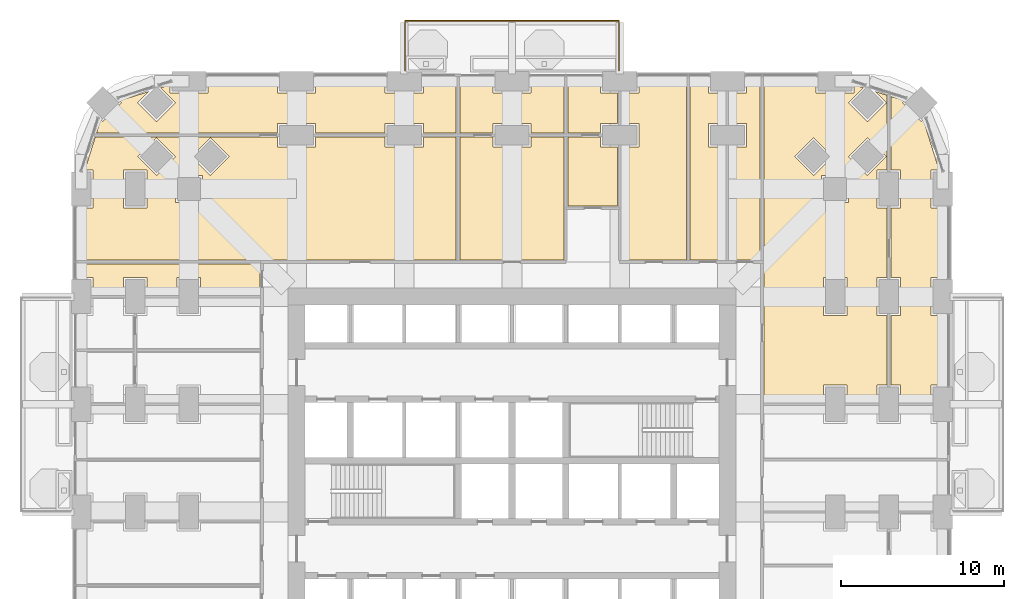
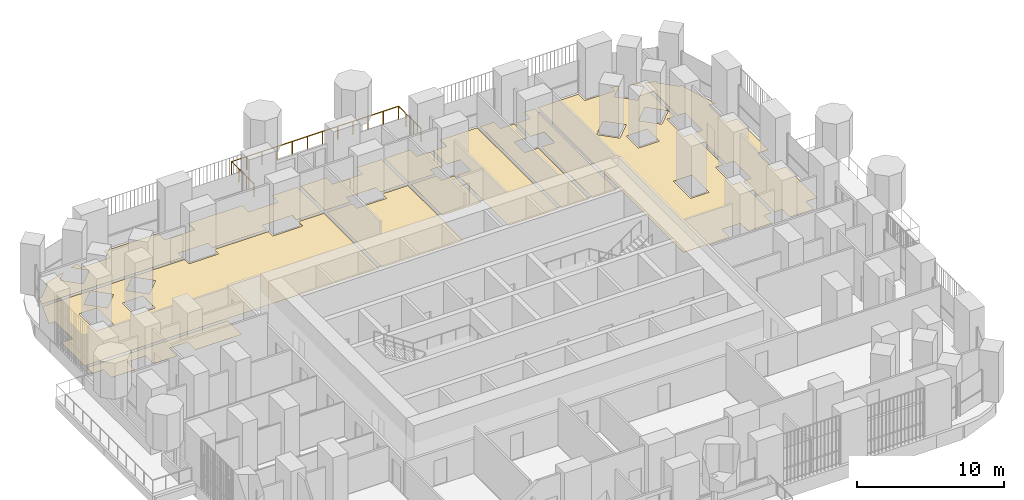
# One storey, part 25 of 26: 12 coverings, 1 railing.
"""IFC4 building model written with IfcOpenShell, lengths in metres."""

from ifc_helpers import new_model, si_unit, direction, frame, origin, place, context, subcontext, project, spatial, polyline, outline, extrude, material, layer, layer_set, type_object, element, save


model = new_model("IFC4")

# Units and contexts
model_context = context("Model", 3, precision=1e-05, world=origin(), true_north=direction((0.0, 1.0)))
body_context = subcontext(model_context, "Body", "Model", "MODEL_VIEW")
ifc_project = project(units=[si_unit("LENGTHUNIT", "METRE"), si_unit("AREAUNIT", "SQUARE_METRE"), si_unit("VOLUMEUNIT", "CUBIC_METRE"), si_unit("PLANEANGLEUNIT", "RADIAN"), si_unit("MASSUNIT", "GRAM", prefix="KILO")], contexts=[model_context])

# Site, building, storey
site_placement = place(None, origin())
site = spatial("IfcSite", under=ifc_project, at=site_placement, CompositionType="ELEMENT")
building_placement = place(site_placement, origin())
building = spatial("IfcBuilding", under=site, at=building_placement, Name="Cobogo Forest Laboratory Tower", CompositionType="ELEMENT")
storey_placement = place(building_placement, frame((0.0, 0.0, 33.89990234375)))
storey = spatial("IfcBuildingStorey", under=building, at=storey_placement, Name="L07", CompositionType="ELEMENT", Elevation=33.89990234375)

# Railing
ifc_material_1 = material(Name="Laminated glass balustrade", Category="glass")
railing_type = type_object("IfcRailingType", Name="BG1 glass balustrade 1100", PredefinedType="GUARDRAIL", material=ifc_material_1)
railing_placement = place(storey_placement, frame((19.85009765625, 46.85009765625, 0.0)))
element("IfcRailing", 1, at=railing_placement, inside=storey, type_object=railing_type, Name="Balcony balustrade BAL-N1 L07", PredefinedType="GUARDRAIL", context=body_context, shape_type="SweptSolid", body=[
    extrude(outline(polyline([(0.022216796875, 0.00927734375), (0.00927734375, 0.022216796875), (-0.00927734375, 0.022216796875), (-0.022216796875, 0.00927734375), (-0.022216796875, -0.00927734375), (-0.00927734375, -0.022216796875), (0.00927734375, -0.022216796875), (0.022216796875, -0.00927734375), (0.022216796875, 0.00927734375)])), frame((0.0, 0.0, 1.077880859375), z_axis=(0.0, 1.0, 0.0), x_axis=(-1.0, 0.0, 0.0)), (0.0, 0.0, 1.0), 3.0498046875),
    extrude(outline(polyline([(0.022216796875, 0.00927734375), (0.00927734375, 0.022216796875), (-0.00927734375, 0.022216796875), (-0.022216796875, 0.00927734375), (-0.022216796875, -0.00927734375), (-0.00927734375, -0.022216796875), (0.00927734375, -0.022216796875), (0.022216796875, -0.00927734375), (0.022216796875, 0.00927734375)])), frame((0.0, 3.0498046875, 1.077880859375), z_axis=(1.0, 0.0, 0.0), x_axis=(0.0, 1.0, 0.0)), (0.0, 0.0, 1.0), 13.099853515625),
    extrude(outline(polyline([(0.022216796875, 0.00927734375), (0.00927734375, 0.022216796875), (-0.00927734375, 0.022216796875), (-0.022216796875, 0.00927734375), (-0.022216796875, -0.00927734375), (-0.00927734375, -0.022216796875), (0.00927734375, -0.022216796875), (0.022216796875, -0.00927734375), (0.022216796875, 0.00927734375)])), frame((13.099853515625, 3.0498046875, 1.077880859375), z_axis=(0.0, -1.0, 0.0), x_axis=(1.0, 0.0, 0.0)), (0.0, 0.0, 1.0), 3.0498046875),
    extrude(outline(polyline([(0.019287109375, 0.008056640625), (0.008056640625, 0.019287109375), (-0.008056640625, 0.019287109375), (-0.019287109375, 0.008056640625), (-0.019287109375, -0.008056640625), (-0.008056640625, -0.019287109375), (0.008056640625, -0.019287109375), (0.019287109375, -0.008056640625), (0.019287109375, 0.008056640625)])), origin(), (0.0, 0.0, 1.0), 1.077880859375),
    extrude(outline(polyline([(0.019287109375, 0.008056640625), (0.008056640625, 0.019287109375), (-0.008056640625, 0.019287109375), (-0.019287109375, 0.008056640625), (-0.019287109375, -0.008056640625), (-0.008056640625, -0.019287109375), (0.008056640625, -0.019287109375), (0.019287109375, -0.008056640625), (0.019287109375, 0.008056640625)])), frame((0.0, 1.0166015625, 0.0)), (0.0, 0.0, 1.0), 1.077880859375),
    extrude(outline(polyline([(0.019287109375, 0.008056640625), (0.008056640625, 0.019287109375), (-0.008056640625, 0.019287109375), (-0.019287109375, 0.008056640625), (-0.019287109375, -0.008056640625), (-0.008056640625, -0.019287109375), (0.008056640625, -0.019287109375), (0.019287109375, -0.008056640625), (0.019287109375, 0.008056640625)])), frame((0.0, 2.033203125, 0.0)), (0.0, 0.0, 1.0), 1.077880859375),
    extrude(outline(polyline([(0.019287109375, 0.008056640625), (0.008056640625, 0.019287109375), (-0.008056640625, 0.019287109375), (-0.019287109375, 0.008056640625), (-0.019287109375, -0.008056640625), (-0.008056640625, -0.019287109375), (0.008056640625, -0.019287109375), (0.019287109375, -0.008056640625), (0.019287109375, 0.008056640625)])), frame((0.0, 3.0498046875, 0.0)), (0.0, 0.0, 1.0), 1.077880859375),
    extrude(outline(polyline([(0.019287109375, 0.008056640625), (0.008056640625, 0.019287109375), (-0.008056640625, 0.019287109375), (-0.019287109375, 0.008056640625), (-0.019287109375, -0.008056640625), (-0.008056640625, -0.019287109375), (0.008056640625, -0.019287109375), (0.019287109375, -0.008056640625), (0.019287109375, 0.008056640625)])), frame((1.19091796875, 3.0498046875, 0.0)), (0.0, 0.0, 1.0), 1.077880859375),
    extrude(outline(polyline([(0.019287109375, 0.008056640625), (0.008056640625, 0.019287109375), (-0.008056640625, 0.019287109375), (-0.019287109375, 0.008056640625), (-0.019287109375, -0.008056640625), (-0.008056640625, -0.019287109375), (0.008056640625, -0.019287109375), (0.019287109375, -0.008056640625), (0.019287109375, 0.008056640625)])), frame((2.3818359375, 3.0498046875, 0.0)), (0.0, 0.0, 1.0), 1.077880859375),
    extrude(outline(polyline([(0.019287109375, 0.008056640625), (0.008056640625, 0.019287109375), (-0.008056640625, 0.019287109375), (-0.019287109375, 0.008056640625), (-0.019287109375, -0.008056640625), (-0.008056640625, -0.019287109375), (0.008056640625, -0.019287109375), (0.019287109375, -0.008056640625), (0.019287109375, 0.008056640625)])), frame((3.57275390625, 3.0498046875, 0.0)), (0.0, 0.0, 1.0), 1.077880859375),
    extrude(outline(polyline([(0.019287109375, 0.008056640625), (0.008056640625, 0.019287109375), (-0.008056640625, 0.019287109375), (-0.019287109375, 0.008056640625), (-0.019287109375, -0.008056640625), (-0.008056640625, -0.019287109375), (0.008056640625, -0.019287109375), (0.019287109375, -0.008056640625), (0.019287109375, 0.008056640625)])), frame((4.763671875, 3.0498046875, 0.0)), (0.0, 0.0, 1.0), 1.077880859375),
    extrude(outline(polyline([(0.019287109375, 0.008056640625), (0.008056640625, 0.019287109375), (-0.008056640625, 0.019287109375), (-0.019287109375, 0.008056640625), (-0.019287109375, -0.008056640625), (-0.008056640625, -0.019287109375), (0.008056640625, -0.019287109375), (0.019287109375, -0.008056640625), (0.019287109375, 0.008056640625)])), frame((5.95458984375, 3.0498046875, 0.0)), (0.0, 0.0, 1.0), 1.077880859375),
    extrude(outline(polyline([(0.019287109375, 0.008056640625), (0.008056640625, 0.019287109375), (-0.008056640625, 0.019287109375), (-0.019287109375, 0.008056640625), (-0.019287109375, -0.008056640625), (-0.008056640625, -0.019287109375), (0.008056640625, -0.019287109375), (0.019287109375, -0.008056640625), (0.019287109375, 0.008056640625)])), frame((7.145263671875, 3.0498046875, 0.0)), (0.0, 0.0, 1.0), 1.077880859375),
    extrude(outline(polyline([(0.019287109375, 0.008056640625), (0.008056640625, 0.019287109375), (-0.008056640625, 0.019287109375), (-0.019287109375, 0.008056640625), (-0.019287109375, -0.008056640625), (-0.008056640625, -0.019287109375), (0.008056640625, -0.019287109375), (0.019287109375, -0.008056640625), (0.019287109375, 0.008056640625)])), frame((8.336181640625, 3.0498046875, 0.0)), (0.0, 0.0, 1.0), 1.077880859375),
    extrude(outline(polyline([(0.019287109375, 0.008056640625), (0.008056640625, 0.019287109375), (-0.008056640625, 0.019287109375), (-0.019287109375, 0.008056640625), (-0.019287109375, -0.008056640625), (-0.008056640625, -0.019287109375), (0.008056640625, -0.019287109375), (0.019287109375, -0.008056640625), (0.019287109375, 0.008056640625)])), frame((9.527099609375, 3.0498046875, 0.0)), (0.0, 0.0, 1.0), 1.077880859375),
    extrude(outline(polyline([(0.019287109375, 0.008056640625), (0.008056640625, 0.019287109375), (-0.008056640625, 0.019287109375), (-0.019287109375, 0.008056640625), (-0.019287109375, -0.008056640625), (-0.008056640625, -0.019287109375), (0.008056640625, -0.019287109375), (0.019287109375, -0.008056640625), (0.019287109375, 0.008056640625)])), frame((10.718017578125, 3.0498046875, 0.0)), (0.0, 0.0, 1.0), 1.077880859375),
    extrude(outline(polyline([(0.019287109375, 0.008056640625), (0.008056640625, 0.019287109375), (-0.008056640625, 0.019287109375), (-0.019287109375, 0.008056640625), (-0.019287109375, -0.008056640625), (-0.008056640625, -0.019287109375), (0.008056640625, -0.019287109375), (0.019287109375, -0.008056640625), (0.019287109375, 0.008056640625)])), frame((11.908935546875, 3.0498046875, 0.0)), (0.0, 0.0, 1.0), 1.077880859375),
    extrude(outline(polyline([(0.019287109375, 0.008056640625), (0.008056640625, 0.019287109375), (-0.008056640625, 0.019287109375), (-0.019287109375, 0.008056640625), (-0.019287109375, -0.008056640625), (-0.008056640625, -0.019287109375), (0.008056640625, -0.019287109375), (0.019287109375, -0.008056640625), (0.019287109375, 0.008056640625)])), frame((13.099853515625, 3.0498046875, 0.0)), (0.0, 0.0, 1.0), 1.077880859375),
    extrude(outline(polyline([(0.019287109375, 0.008056640625), (0.008056640625, 0.019287109375), (-0.008056640625, 0.019287109375), (-0.019287109375, 0.008056640625), (-0.019287109375, -0.008056640625), (-0.008056640625, -0.019287109375), (0.008056640625, -0.019287109375), (0.019287109375, -0.008056640625), (0.019287109375, 0.008056640625)])), frame((13.099853515625, 2.033203125, 0.0)), (0.0, 0.0, 1.0), 1.077880859375),
    extrude(outline(polyline([(0.019287109375, 0.008056640625), (0.008056640625, 0.019287109375), (-0.008056640625, 0.019287109375), (-0.019287109375, 0.008056640625), (-0.019287109375, -0.008056640625), (-0.008056640625, -0.019287109375), (0.008056640625, -0.019287109375), (0.019287109375, -0.008056640625), (0.019287109375, 0.008056640625)])), frame((13.099853515625, 1.0166015625, 0.0)), (0.0, 0.0, 1.0), 1.077880859375),
    extrude(outline(polyline([(0.019287109375, 0.008056640625), (0.008056640625, 0.019287109375), (-0.008056640625, 0.019287109375), (-0.019287109375, 0.008056640625), (-0.019287109375, -0.008056640625), (-0.008056640625, -0.019287109375), (0.008056640625, -0.019287109375), (0.019287109375, -0.008056640625), (0.019287109375, 0.008056640625)])), frame((13.099853515625, 0.0, 0.0)), (0.0, 0.0, 1.0), 1.077880859375),
])

# Coverings
ifc_material_2 = material(Name="Carpet tile on raised access floor", Category="flooring")
ifc_layer_1 = layer(ifc_material_2, 0.008056640625)
ifc_layer_set_1 = layer_set([ifc_layer_1], Name="CT1 carpet tile floor 8")
covering_type_1 = type_object("IfcCoveringType", Name="CT1 carpet tile floor 8", PredefinedType="FLOORING", material=ifc_layer_set_1)
covering_1_placement = place(storey_placement, origin())
element("IfcCovering", 2, at=covering_1_placement, inside=storey, type_object=covering_type_1, Name="Carpet floor L07-18", PredefinedType="FLOORING", context=body_context, shape_type="SweptSolid", body=[
    extrude(outline(polyline([(49.6201171875, 31.830078125), (50.219970703125, 31.830078125), (50.219970703125, 34.169921875), (49.6201171875, 34.169921875), (49.6201171875, 38.429931640625), (50.219970703125, 38.429931640625), (50.219970703125, 40.77001953125), (49.6201171875, 40.77001953125), (49.6201171875, 45.26025390625), (50.441162109375, 45.0009765625), (50.322265625, 44.882080078125), (51.48193359375, 43.722412109375), (51.600830078125, 43.84130859375), (52.57080078125, 40.77001953125), (52.080078125, 40.77001953125), (52.080078125, 38.429931640625), (52.949951171875, 38.429931640625), (52.949951171875, 34.169921875), (52.080078125, 34.169921875), (52.080078125, 31.830078125), (52.949951171875, 31.830078125), (52.949951171875, 27.570068359375), (52.080078125, 27.570068359375), (52.080078125, 26.52001953125), (50.219970703125, 26.52001953125), (50.219970703125, 27.570068359375), (49.6201171875, 27.570068359375), (49.6201171875, 31.830078125)])), origin(), (0.0, 0.0, 1.0), 0.008056640625),
])
covering_2_placement = place(storey_placement, origin())
element("IfcCovering", 3, at=covering_2_placement, inside=storey, type_object=covering_type_1, Name="Carpet floor L07-20", PredefinedType="FLOORING", context=body_context, shape_type="SweptSolid", body=[
    extrude(outline(polyline([(20.969970703125, 43.02001953125), (20.969970703125, 43.6201171875), (18.6298828125, 43.6201171875), (18.6298828125, 43.02001953125), (14.3701171875, 43.02001953125), (14.3701171875, 43.6201171875), (12.030029296875, 43.6201171875), (12.030029296875, 43.02001953125), (0.939697265625, 43.02001953125), (1.19921875, 43.84130859375), (1.318115234375, 43.722412109375), (2.477783203125, 44.882080078125), (2.358642578125, 45.0009765625), (4.1396484375, 45.563232421875), (3.458251953125, 44.882080078125), (4.617919921875, 43.722412109375), (5.777587890625, 44.882080078125), (4.86669921875, 45.79296875), (5.429931640625, 45.970703125), (5.429931640625, 45.47998046875), (7.77001953125, 45.47998046875), (7.77001953125, 46.35009765625), (12.030029296875, 46.35009765625), (12.030029296875, 45.47998046875), (14.3701171875, 45.47998046875), (14.3701171875, 46.35009765625), (18.6298828125, 46.35009765625), (18.6298828125, 45.47998046875), (20.969970703125, 45.47998046875), (20.969970703125, 46.35009765625), (22.97998046875, 46.35009765625), (22.97998046875, 43.02001953125), (20.969970703125, 43.02001953125)])), origin(), (0.0, 0.0, 1.0), 0.008056640625),
])
covering_3_placement = place(storey_placement, origin())
element("IfcCovering", 4, at=covering_3_placement, inside=storey, type_object=covering_type_1, Name="Carpet floor L07-22", PredefinedType="FLOORING", context=body_context, shape_type="SweptSolid", body=[
    extrude(outline(polyline([(27.570068359375, 43.02001953125), (27.570068359375, 43.6201171875), (25.22998046875, 43.6201171875), (25.22998046875, 43.02001953125), (23.219970703125, 43.02001953125), (23.219970703125, 46.35009765625), (25.22998046875, 46.35009765625), (25.22998046875, 45.47998046875), (27.570068359375, 45.47998046875), (27.570068359375, 46.35009765625), (29.580078125, 46.35009765625), (29.580078125, 43.02001953125), (27.570068359375, 43.02001953125)])), origin(), (0.0, 0.0, 1.0), 0.008056640625),
])
covering_4_placement = place(storey_placement, origin())
element("IfcCovering", 5, at=covering_4_placement, inside=storey, type_object=covering_type_1, Name="Carpet floor L07-24", PredefinedType="FLOORING", context=body_context, shape_type="SweptSolid", body=[
    extrude(outline(polyline([(29.820068359375, 43.02001953125), (29.820068359375, 46.35009765625), (31.830078125, 46.35009765625), (31.830078125, 45.47998046875), (32.8798828125, 45.47998046875), (32.8798828125, 43.6201171875), (31.830078125, 43.6201171875), (31.830078125, 43.02001953125), (29.820068359375, 43.02001953125)])), origin(), (0.0, 0.0, 1.0), 0.008056640625),
])
covering_5_placement = place(storey_placement, origin())
element("IfcCovering", 6, at=covering_5_placement, inside=storey, type_object=covering_type_1, Name="Carpet floor L07-25", PredefinedType="FLOORING", context=body_context, shape_type="SweptSolid", body=[
    extrude(outline(polyline([(33.1201171875, 35.2451171875), (33.1201171875, 42.179931640625), (34.169921875, 42.179931640625), (34.169921875, 43.6201171875), (33.1201171875, 43.6201171875), (33.1201171875, 45.47998046875), (34.169921875, 45.47998046875), (34.169921875, 46.35009765625), (37.080078125, 46.35009765625), (37.080078125, 35.2451171875), (33.1201171875, 35.2451171875)])), origin(), (0.0, 0.0, 1.0), 0.008056640625),
])
covering_6_placement = place(storey_placement, origin())
element("IfcCovering", 7, at=covering_6_placement, inside=storey, type_object=covering_type_1, Name="Carpet floor L07-27", PredefinedType="FLOORING", context=body_context, shape_type="SweptSolid", body=[
    extrude(outline(polyline([(39.719970703125, 35.2451171875), (39.719970703125, 42.179931640625), (40.77001953125, 42.179931640625), (40.77001953125, 43.6201171875), (39.719970703125, 43.6201171875), (39.719970703125, 45.47998046875), (40.77001953125, 45.47998046875), (40.77001953125, 46.35009765625), (41.60498046875, 46.35009765625), (41.60498046875, 35.2451171875), (39.719970703125, 35.2451171875)])), origin(), (0.0, 0.0, 1.0), 0.008056640625),
])
covering_7_placement = place(storey_placement, origin())
element("IfcCovering", 8, at=covering_7_placement, inside=storey, type_object=covering_type_1, Name="Carpet floor L07-38", PredefinedType="FLOORING", context=body_context, shape_type="SweptSolid", body=[
    extrude(outline(polyline([(10.955078125, 33.1201171875), (7.320068359375, 33.1201171875), (7.320068359375, 34.169921875), (5.8798828125, 34.169921875), (5.8798828125, 33.1201171875), (4.02001953125, 33.1201171875), (4.02001953125, 34.169921875), (2.580078125, 34.169921875), (2.580078125, 33.1201171875), (0.719970703125, 33.1201171875), (0.719970703125, 34.169921875), (-0.14990234375, 34.169921875), (-0.14990234375, 35.0048828125), (10.955078125, 35.0048828125), (10.955078125, 33.1201171875)])), origin(), (0.0, 0.0, 1.0), 0.008056640625),
])
ifc_material_3 = material(Name="Epoxy resin flooring", Category="flooring")
ifc_layer_2 = layer(ifc_material_3, 0.00390625)
ifc_layer_set_2 = layer_set([ifc_layer_2], Name="LF1 epoxy laboratory floor 4")
covering_type_2 = type_object("IfcCoveringType", Name="LF1 epoxy laboratory floor 4", PredefinedType="FLOORING", material=ifc_layer_set_2)
covering_8_placement = place(storey_placement, origin())
element("IfcCovering", 9, at=covering_8_placement, inside=storey, type_object=covering_type_2, Name="Epoxy laboratory floor L07-17", PredefinedType="FLOORING", context=body_context, shape_type="SweptSolid", body=[
    extrude(outline(polyline([(46.919921875, 26.52001953125), (46.919921875, 27.570068359375), (45.47998046875, 27.570068359375), (45.47998046875, 26.52001953125), (41.844970703125, 26.52001953125), (41.844970703125, 46.35009765625), (45.030029296875, 46.35009765625), (45.030029296875, 45.47998046875), (47.3701171875, 45.47998046875), (47.3701171875, 45.970703125), (47.933349609375, 45.79296875), (47.022216796875, 44.882080078125), (48.181884765625, 43.722412109375), (49.341552734375, 44.882080078125), (48.660400390625, 45.563232421875), (49.3798828125, 45.3359375), (49.3798828125, 40.77001953125), (48.780029296875, 40.77001953125), (48.780029296875, 38.429931640625), (49.3798828125, 38.429931640625), (49.3798828125, 34.169921875), (48.780029296875, 34.169921875), (48.780029296875, 31.830078125), (49.3798828125, 31.830078125), (49.3798828125, 27.570068359375), (48.780029296875, 27.570068359375), (48.780029296875, 26.52001953125), (46.919921875, 26.52001953125)]), holes=[polyline([(47.022216796875, 41.58203125), (48.181884765625, 40.42236328125), (49.341552734375, 41.58203125), (48.181884765625, 42.74169921875), (47.022216796875, 41.58203125)]), polyline([(47.02001953125, 40.419921875), (45.3798828125, 40.419921875), (45.3798828125, 38.780029296875), (47.02001953125, 38.780029296875), (47.02001953125, 40.419921875)]), polyline([(45.47998046875, 31.830078125), (46.919921875, 31.830078125), (46.919921875, 34.169921875), (45.47998046875, 34.169921875), (45.47998046875, 31.830078125)]), polyline([(43.722412109375, 41.58203125), (44.882080078125, 40.42236328125), (46.041748046875, 41.58203125), (44.882080078125, 42.74169921875), (43.722412109375, 41.58203125)])]), origin(), (0.0, 0.0, 1.0), 0.004150390625),
])
covering_9_placement = place(storey_placement, origin())
element("IfcCovering", 10, at=covering_9_placement, inside=storey, type_object=covering_type_2, Name="Epoxy laboratory floor L07-19", PredefinedType="FLOORING", context=body_context, shape_type="SweptSolid", body=[
    extrude(outline(polyline([(22.97998046875, 35.2451171875), (-0.14990234375, 35.2451171875), (-0.14990234375, 38.429931640625), (0.719970703125, 38.429931640625), (0.719970703125, 40.77001953125), (0.229248046875, 40.77001953125), (0.864013671875, 42.780029296875), (12.030029296875, 42.780029296875), (12.030029296875, 42.179931640625), (14.3701171875, 42.179931640625), (14.3701171875, 42.780029296875), (18.6298828125, 42.780029296875), (18.6298828125, 42.179931640625), (20.969970703125, 42.179931640625), (20.969970703125, 42.780029296875), (22.97998046875, 42.780029296875), (22.97998046875, 35.2451171875)]), holes=[polyline([(6.75830078125, 41.58203125), (7.91796875, 40.42236328125), (9.07763671875, 41.58203125), (7.91796875, 42.74169921875), (6.75830078125, 41.58203125)]), polyline([(5.780029296875, 40.419921875), (5.780029296875, 38.780029296875), (7.419921875, 38.780029296875), (7.419921875, 40.419921875), (5.780029296875, 40.419921875)]), polyline([(3.458251953125, 41.58203125), (4.617919921875, 40.42236328125), (5.777587890625, 41.58203125), (4.617919921875, 42.74169921875), (3.458251953125, 41.58203125)]), polyline([(2.580078125, 38.429931640625), (4.02001953125, 38.429931640625), (4.02001953125, 40.77001953125), (2.580078125, 40.77001953125), (2.580078125, 38.429931640625)])]), origin(), (0.0, 0.0, 1.0), 0.004150390625),
])
covering_10_placement = place(storey_placement, origin())
element("IfcCovering", 11, at=covering_10_placement, inside=storey, type_object=covering_type_2, Name="Epoxy laboratory floor L07-21", PredefinedType="FLOORING", context=body_context, shape_type="SweptSolid", body=[
    extrude(outline(polyline([(23.219970703125, 42.780029296875), (25.22998046875, 42.780029296875), (25.22998046875, 42.179931640625), (27.570068359375, 42.179931640625), (27.570068359375, 42.780029296875), (29.580078125, 42.780029296875), (29.580078125, 35.2451171875), (23.219970703125, 35.2451171875), (23.219970703125, 42.780029296875)])), origin(), (0.0, 0.0, 1.0), 0.004150390625),
])
ifc_material_4 = material(Name="Ceramic floor tile", Category="flooring")
ifc_layer_3 = layer(ifc_material_4, 0.010009765625)
ifc_layer_set_3 = layer_set([ifc_layer_3], Name="TF1 ceramic tile floor 10")
covering_type_3 = type_object("IfcCoveringType", Name="TF1 ceramic tile floor 10", PredefinedType="FLOORING", material=ifc_layer_set_3)
covering_11_placement = place(storey_placement, origin())
element("IfcCovering", 12, at=covering_11_placement, inside=storey, type_object=covering_type_3, Name="Tile floor L07-23", PredefinedType="FLOORING", context=body_context, shape_type="SweptSolid", body=[
    extrude(outline(polyline([(29.820068359375, 42.780029296875), (31.830078125, 42.780029296875), (31.830078125, 42.179931640625), (32.8798828125, 42.179931640625), (32.8798828125, 38.544921875), (29.820068359375, 38.544921875), (29.820068359375, 42.780029296875)])), origin(), (0.0, 0.0, 1.0), 0.010009765625),
])
covering_12_placement = place(storey_placement, origin())
element("IfcCovering", 13, at=covering_12_placement, inside=storey, type_object=covering_type_3, Name="Tile floor L07-26", PredefinedType="FLOORING", context=body_context, shape_type="SweptSolid", body=[
    extrude(outline(polyline([(37.320068359375, 35.2451171875), (37.320068359375, 46.35009765625), (38.429931640625, 46.35009765625), (38.429931640625, 45.47998046875), (39.47998046875, 45.47998046875), (39.47998046875, 43.6201171875), (38.429931640625, 43.6201171875), (38.429931640625, 42.179931640625), (39.47998046875, 42.179931640625), (39.47998046875, 35.2451171875), (37.320068359375, 35.2451171875)])), origin(), (0.0, 0.0, 1.0), 0.010009765625),
])

save(model, "model.ifc")
